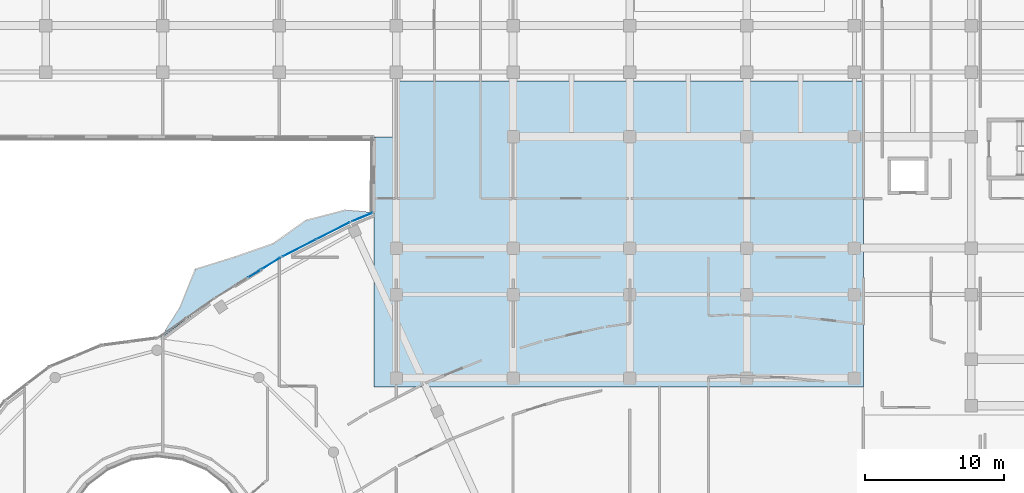
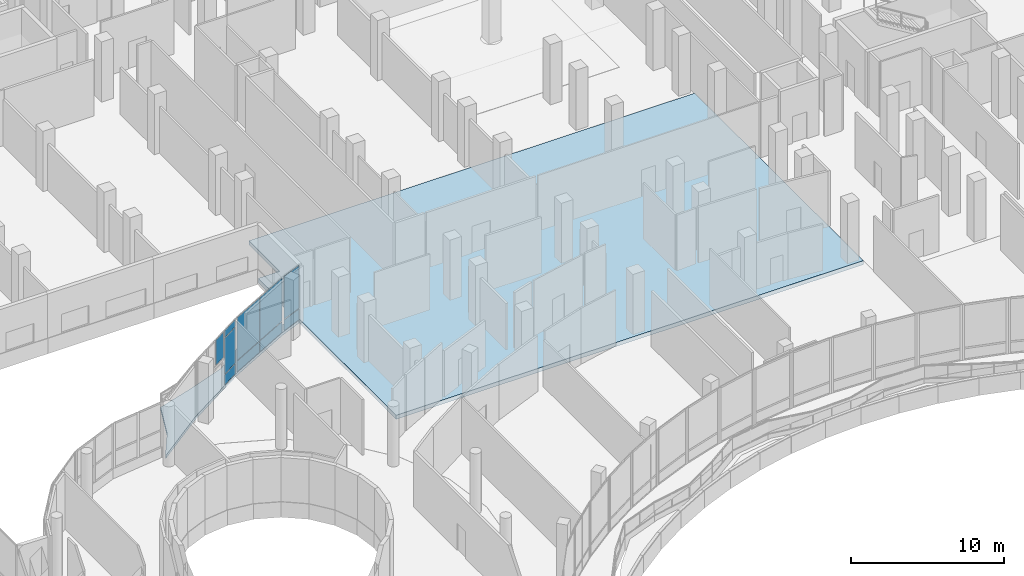
# One storey, part 134 of 168: 10 plates, 2 slabs, 4 elements without a shape of their own.
"""IFC4 building model written with IfcOpenShell, lengths in metres."""

from ifc_helpers import new_model, si_unit, direction, frame, origin, origin_2d, place, context, subcontext, project, spatial, polyline, rectangle, outline, extrude, material, layer, layer_set, type_object, element, aggregate, save


model = new_model("IFC4")

# Units and contexts
model_context = context("Model", 3, precision=1e-05, world=origin(), true_north=direction((0.0, 1.0)))
body_context = subcontext(model_context, "Body", "Model", "MODEL_VIEW")
ifc_project = project(units=[si_unit("LENGTHUNIT", "METRE"), si_unit("AREAUNIT", "SQUARE_METRE"), si_unit("VOLUMEUNIT", "CUBIC_METRE"), si_unit("PLANEANGLEUNIT", "RADIAN"), si_unit("MASSUNIT", "GRAM", prefix="KILO")], contexts=[model_context])

# Site, building, storey
site_placement = place(None, origin())
site = spatial("IfcSite", under=ifc_project, at=site_placement, CompositionType="ELEMENT")
building_placement = place(site_placement, origin())
building = spatial("IfcBuilding", under=site, at=building_placement, Name="Selatvlak General Hospital", CompositionType="ELEMENT")
storey_placement = place(building_placement, frame((0.0, 0.0, 5.39990234375)))
storey = spatial("IfcBuildingStorey", under=building, at=storey_placement, Name="L01", CompositionType="ELEMENT", Elevation=5.39990234375)

# Curtain wall, plate
ifc_material_1 = material(Name="Solar-control Low-E double glazing", Category="glass")
curtain_wall_type_1 = type_object("IfcCurtainWallType", Name="CW-CW-02", PredefinedType="USERDEFINED", material=ifc_material_1)
curtain_wall_1_placement = place(storey_placement, origin())
curtain_wall_1 = element("IfcCurtainWall", 1, at=curtain_wall_1_placement, inside=storey, type_object=curtain_wall_type_1, Name="Glazed facade curtain wall CW-L01-0221", ObjectType="UNITISED CURTAIN WALL", PredefinedType="USERDEFINED")
ifc_layer_1 = layer(ifc_material_1, 0.028076171875, Name="Solar-control Low-E double glazing", Category="glass")
ifc_layer_set_1 = layer_set([ifc_layer_1], Name="Solar-control Low-E double glazing")
plate_type = type_object("IfcPlateType", Name="CWP-01", PredefinedType="CURTAIN_PANEL", material=ifc_layer_set_1)
plate_1_placement = place(storey_placement, frame((105.002685546875, 74.15283203125, 2.385009765625), z_axis=(0.0, 0.0, 1.0), x_axis=(0.850415359562, 0.526111885649, 0.0)))
plate_1 = element("IfcPlate", 2, at=plate_1_placement, type_object=plate_type, Name="CW-02 panel 2.1", PredefinedType="CURTAIN_PANEL", context=body_context, shape_type="SweptSolid", body=[
    extrude(rectangle(XDim=1.037353515625, YDim=0.028076171875, at=origin_2d()), origin(), (0.0, 0.0, 1.0), 1.9951171875),
])
aggregate(curtain_wall_1, [plate_1])

# Curtain wall, plates
curtain_wall_type_2 = type_object("IfcCurtainWallType", Name="CW-CW-01", PredefinedType="USERDEFINED", material=ifc_material_1)
curtain_wall_2_placement = place(storey_placement, origin())
curtain_wall_2 = element("IfcCurtainWall", 3, at=curtain_wall_2_placement, inside=storey, type_object=curtain_wall_type_2, Name="Glazed facade curtain wall CW-L01-0223", ObjectType="UNITISED CURTAIN WALL", PredefinedType="USERDEFINED")
plate_2_placement = place(storey_placement, frame((106.214599609375, 74.902099609375, 0.06494140625), z_axis=(0.0, 0.0, 1.0), x_axis=(0.850724979241, 0.525611082166, 0.0)))
plate_2 = element("IfcPlate", 4, at=plate_2_placement, type_object=plate_type, Name="CW-01 panel 1.1", PredefinedType="CURTAIN_PANEL", context=body_context, shape_type="SweptSolid", body=[
    extrude(rectangle(XDim=1.490966796875, YDim=0.028076171875, at=origin_2d()), origin(), (0.0, 0.0, 1.0), 0.802490234375),
])
plate_3_placement = place(storey_placement, frame((106.214599609375, 74.902099609375, 0.9326171875), z_axis=(0.0, 0.0, 1.0), x_axis=(0.850724979241, 0.525611082166, 0.0)))
plate_3 = element("IfcPlate", 5, at=plate_3_placement, type_object=plate_type, Name="CW-01 panel 1.2", PredefinedType="CURTAIN_PANEL", context=body_context, shape_type="SweptSolid", body=[
    extrude(rectangle(XDim=1.490966796875, YDim=0.028076171875, at=origin_2d()), origin(), (0.0, 0.0, 1.0), 2.830078125),
])
plate_4_placement = place(storey_placement, frame((106.214599609375, 74.902099609375, 3.82763671875), z_axis=(0.0, 0.0, 1.0), x_axis=(0.850724979241, 0.525611082166, 0.0)))
plate_4 = element("IfcPlate", 6, at=plate_4_placement, type_object=plate_type, Name="CW-01 panel 1.3", PredefinedType="CURTAIN_PANEL", context=body_context, shape_type="SweptSolid", body=[
    extrude(rectangle(XDim=1.490966796875, YDim=0.028076171875, at=origin_2d()), origin(), (0.0, 0.0, 1.0), 0.552490234375),
])
aggregate(curtain_wall_2, [plate_2, plate_3, plate_4])

curtain_wall_3_placement = place(storey_placement, origin())
curtain_wall_3 = element("IfcCurtainWall", 7, at=curtain_wall_3_placement, inside=storey, type_object=curtain_wall_type_1, Name="Glazed facade curtain wall CW-L01-0224", ObjectType="UNITISED CURTAIN WALL", PredefinedType="USERDEFINED")
plate_5_placement = place(storey_placement, frame((108.2197265625, 75.9990234375, 0.065185546875), z_axis=(0.0, 0.0, 1.0), x_axis=(0.891326828077, 0.453361318983, 0.0)))
plate_5 = element("IfcPlate", 8, at=plate_5_placement, type_object=plate_type, Name="CW-02 panel 1.1", PredefinedType="CURTAIN_PANEL", context=body_context, shape_type="SweptSolid", body=[
    extrude(rectangle(XDim=2.6630859375, YDim=0.028076171875, at=origin_2d()), origin(), (0.0, 0.0, 1.0), 0.8525390625),
])
plate_6_placement = place(storey_placement, frame((108.2197265625, 75.9990234375, 0.982666015625), z_axis=(0.0, 0.0, 1.0), x_axis=(0.891326828077, 0.453361318983, 0.0)))
plate_6 = element("IfcPlate", 9, at=plate_6_placement, type_object=plate_type, Name="CW-02 panel 1.2", PredefinedType="CURTAIN_PANEL", context=body_context, shape_type="SweptSolid", body=[
    extrude(rectangle(XDim=2.6630859375, YDim=0.028076171875, at=origin_2d()), origin(), (0.0, 0.0, 1.0), 3.3974609375),
])
plate_7_placement = place(storey_placement, frame((110.6513671875, 77.23583984375, 0.065185546875), z_axis=(0.0, 0.0, 1.0), x_axis=(0.891326828077, 0.453361318983, 0.0)))
plate_7 = element("IfcPlate", 10, at=plate_7_placement, type_object=plate_type, Name="CW-02 panel 2.1", PredefinedType="CURTAIN_PANEL", context=body_context, shape_type="SweptSolid", body=[
    extrude(rectangle(XDim=2.6630859375, YDim=0.028076171875, at=origin_2d()), origin(), (0.0, 0.0, 1.0), 0.8525390625),
])
plate_8_placement = place(storey_placement, frame((110.6513671875, 77.23583984375, 0.982666015625), z_axis=(0.0, 0.0, 1.0), x_axis=(0.891326828077, 0.453361318983, 0.0)))
plate_8 = element("IfcPlate", 11, at=plate_8_placement, type_object=plate_type, Name="CW-02 panel 2.2", PredefinedType="CURTAIN_PANEL", context=body_context, shape_type="SweptSolid", body=[
    extrude(rectangle(XDim=2.6630859375, YDim=0.028076171875, at=origin_2d()), origin(), (0.0, 0.0, 1.0), 3.3974609375),
])
aggregate(curtain_wall_3, [plate_5, plate_6, plate_7, plate_8])

curtain_wall_4_placement = place(storey_placement, origin())
curtain_wall_4 = element("IfcCurtainWall", 12, at=curtain_wall_4_placement, inside=storey, type_object=curtain_wall_type_2, Name="Glazed facade curtain wall CW-L01-0225", ObjectType="UNITISED CURTAIN WALL", PredefinedType="USERDEFINED")
plate_9_placement = place(storey_placement, frame((112.759033203125, 78.223388671875, 0.065185546875), z_axis=(0.0, 0.0, 1.0), x_axis=(0.925826722383, 0.377948250587, 0.0)))
plate_9 = element("IfcPlate", 13, at=plate_9_placement, type_object=plate_type, Name="CW-01 panel 1.1", PredefinedType="CURTAIN_PANEL", context=body_context, shape_type="SweptSolid", body=[
    extrude(rectangle(XDim=1.57666015625, YDim=0.028076171875, at=origin_2d()), origin(), (0.0, 0.0, 1.0), 0.8525390625),
])
plate_10_placement = place(storey_placement, frame((112.759033203125, 78.223388671875, 0.982666015625), z_axis=(0.0, 0.0, 1.0), x_axis=(0.925826722383, 0.377948250587, 0.0)))
plate_10 = element("IfcPlate", 14, at=plate_10_placement, type_object=plate_type, Name="CW-01 panel 1.2", PredefinedType="CURTAIN_PANEL", context=body_context, shape_type="SweptSolid", body=[
    extrude(rectangle(XDim=1.57666015625, YDim=0.028076171875, at=origin_2d()), origin(), (0.0, 0.0, 1.0), 3.3974609375),
])
aggregate(curtain_wall_4, [plate_9, plate_10])

# Slabs
ifc_material_2 = material(Name="Concrete C40/50", Category="concrete")
ifc_layer_2 = layer(ifc_material_2, 0.22998046875, Name="Concrete C40/50", Category="concrete")
ifc_layer_set_2 = layer_set([ifc_layer_2], Name="Concrete C40/50")
slab_type_1 = type_object("IfcSlabType", Name="SLAB-SL-BL1", PredefinedType="FLOOR", material=ifc_layer_set_2)
slab_1_placement = place(storey_placement, frame((0.0, 0.0, -0.22998046875)))
element("IfcSlab", 15, at=slab_1_placement, inside=storey, type_object=slab_type_1, Name="L01 S-curve sunshade balcony 3", PredefinedType="FLOOR", context=body_context, shape_type="SweptSolid", body=[
    extrude(outline(polyline([(106.360107421875, 76.3291015625), (108.70703125, 77.99609375), (111.511962890625, 78.72607421875), (113.52001953125, 78.573974609375), (113.52001953125, 78.5400390625), (111.907958984375, 77.882080078125), (106.916015625, 75.341064453125), (102.14892578125, 72.39501953125), (98.2919921875, 69.5419921875), (98.25390625, 69.547119140625), (99.623046875, 71.68408203125), (100.74609375, 74.47998046875), (103.60595703125, 75.365966796875), (106.360107421875, 76.3291015625)])), origin(), (0.0, 0.0, 1.0), 0.22998046875),
])
ifc_layer_3 = layer(ifc_material_2, 0.320068359375, Name="Concrete C40/50", Category="concrete")
ifc_layer_set_3 = layer_set([ifc_layer_3], Name="Concrete C40/50")
slab_type_2 = type_object("IfcSlabType", Name="SLAB-SL-FL1", PredefinedType="FLOOR", material=ifc_layer_set_3)
slab_2_placement = place(storey_placement, frame((0.0, 0.0, -0.31982421875)))
element("IfcSlab", 16, at=slab_2_placement, inside=storey, type_object=slab_type_2, Name="L01 V4 structural slab", PredefinedType="FLOOR", context=body_context, shape_type="SweptSolid", body=[
    extrude(outline(polyline([(113.60009765625, 83.991943359375), (115.199951171875, 83.991943359375), (115.2080078125, 88.0), (148.800048828125, 88.0), (148.800048828125, 66.0), (113.60009765625, 66.0), (113.60009765625, 83.991943359375)])), origin(), (0.0, 0.0, 1.0), 0.31982421875),
])

save(model, "model.ifc")
